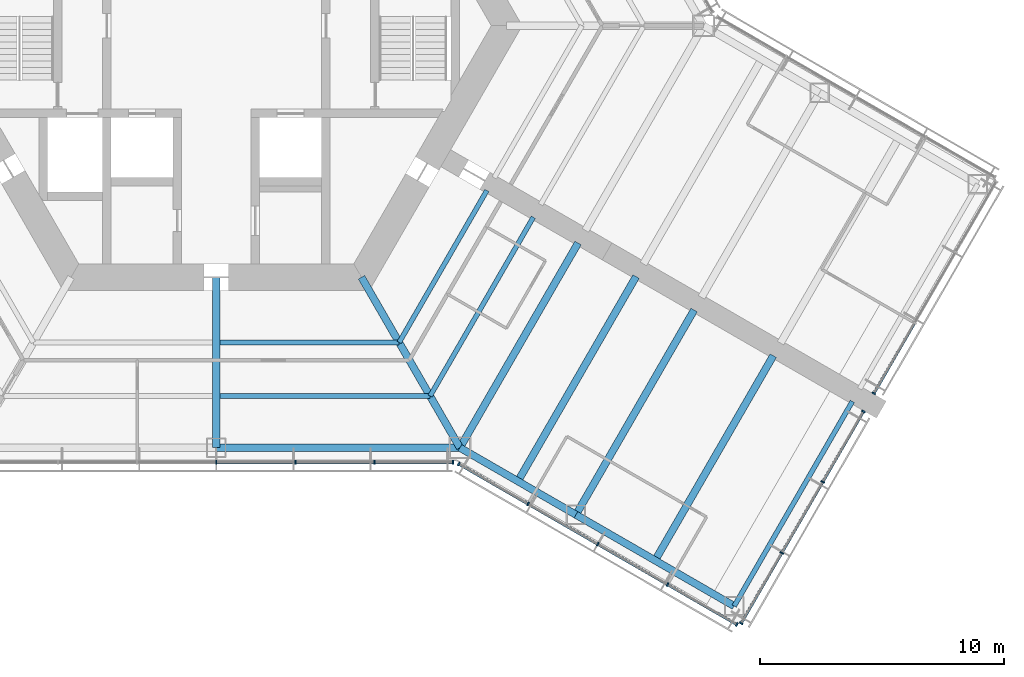
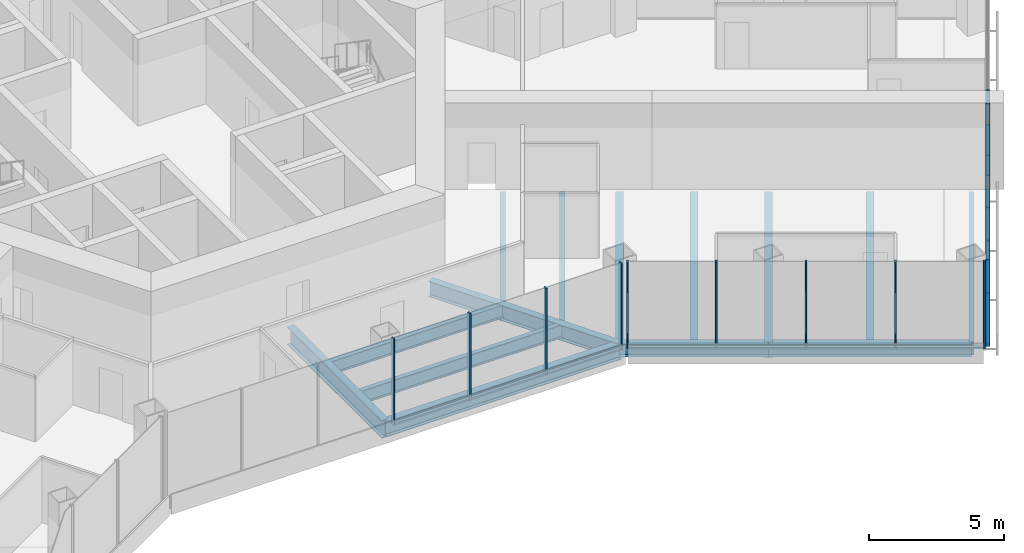
# One storey, part 5 of 19: 25 members, 14 beams, 4 elements without a shape of their own.
"""IFC4 building model written with IfcOpenShell, lengths in metres."""

from ifc_helpers import new_model, si_unit, direction, frame, origin, origin_2d, place, context, subcontext, project, spatial, rectangle, i_section, extrude, material, material_profile, profile_set, type_object, element, aggregate, save


model = new_model("IFC4")

# Units and contexts
model_context = context("Model", 3, precision=1e-05, world=origin(), true_north=direction((0.0, 1.0)))
body_context = subcontext(model_context, "Body", "Model", "MODEL_VIEW")
ifc_project = project(units=[si_unit("LENGTHUNIT", "METRE"), si_unit("AREAUNIT", "SQUARE_METRE"), si_unit("VOLUMEUNIT", "CUBIC_METRE"), si_unit("PLANEANGLEUNIT", "RADIAN"), si_unit("MASSUNIT", "GRAM", prefix="KILO")], contexts=[model_context])

# Site, building, storey
site_placement = place(None, origin())
site = spatial("IfcSite", under=ifc_project, at=site_placement, CompositionType="ELEMENT")
building_placement = place(site_placement, origin())
building = spatial("IfcBuilding", under=site, at=building_placement, Name="Kasaneha Research Tower", CompositionType="ELEMENT")
storey_placement = place(building_placement, frame((0.0, 0.0, 104.10009765625)))
storey = spatial("IfcBuildingStorey", under=building, at=storey_placement, Name="L26", CompositionType="ELEMENT", Elevation=104.10009765625)

# Beams
ifc_material_1 = material(Name="Steel SN490B", Category="steel")
ifc_material_profile_1 = material_profile(ifc_material_1, i_section(OverallWidth=0.199951171875, OverallDepth=0.60009765625, WebThickness=0.010986328125, FlangeThickness=0.01708984375, FilletRadius=0.012939453125, at=origin_2d()), Name="H-600x200x11x17")
ifc_profile_set_1 = profile_set([ifc_material_profile_1], Name="Steel SN490B")
beam_type_1 = type_object("IfcBeamType", Name="B1-3 secondary beam H-600x200x11x17", PredefinedType="JOIST", material=ifc_profile_set_1)
beam_1_placement = place(storey_placement, frame((7.505615234375, -13.0, -0.4501953125), z_axis=(-1.0, 0.0, 0.0), x_axis=(0.0, -1.0, 0.0)))
element("IfcBeam", 1, at=beam_1_placement, inside=storey, type_object=beam_type_1, Name="Secondary beam RS270R1 L26", PredefinedType="JOIST", context=body_context, shape_type="SweptSolid", body=[
    extrude(i_section(OverallWidth=0.199951171875, OverallDepth=0.60009765625, WebThickness=0.010986328125, FlangeThickness=0.01708984375, FilletRadius=0.012939453125, at=origin_2d()), origin(), (0.0, 0.0, 1.0), 7.355712890625),
])
beam_2_placement = place(storey_placement, frame((8.775634765625, -15.199951171875, -0.4501953125), z_axis=(-1.0, 0.0, 0.0), x_axis=(0.0, -1.0, 0.0)))
element("IfcBeam", 2, at=beam_2_placement, inside=storey, type_object=beam_type_1, Name="Secondary beam RS270R2 L26", PredefinedType="JOIST", context=body_context, shape_type="SweptSolid", body=[
    extrude(i_section(OverallWidth=0.199951171875, OverallDepth=0.60009765625, WebThickness=0.010986328125, FlangeThickness=0.01708984375, FilletRadius=0.012939453125, at=origin_2d()), origin(), (0.0, 0.0, 1.0), 8.625732421875),
])
beam_3_placement = place(storey_placement, frame((7.505615234375, -13.0, -0.4501953125), z_axis=(0.499998147991, 0.86602647304, 0.0), x_axis=(-0.86602647304, 0.499998147991, 0.0)))
element("IfcBeam", 3, at=beam_3_placement, inside=storey, type_object=beam_type_1, Name="Secondary beam RS330L1 L26", PredefinedType="JOIST", context=body_context, shape_type="SweptSolid", body=[
    extrude(i_section(OverallWidth=0.199951171875, OverallDepth=0.60009765625, WebThickness=0.010986328125, FlangeThickness=0.01708984375, FilletRadius=0.012939453125, at=origin_2d()), origin(), (0.0, 0.0, 1.0), 7.20556640625),
])
beam_4_placement = place(storey_placement, frame((8.775634765625, -15.199951171875, -0.4501953125), z_axis=(0.500020829043, 0.866013377797, 0.0), x_axis=(-0.866013377797, 0.500020829043, 0.0)))
element("IfcBeam", 4, at=beam_4_placement, inside=storey, type_object=beam_type_1, Name="Secondary beam RS330L2 L26", PredefinedType="JOIST", context=body_context, shape_type="SweptSolid", body=[
    extrude(i_section(OverallWidth=0.199951171875, OverallDepth=0.60009765625, WebThickness=0.010986328125, FlangeThickness=0.01708984375, FilletRadius=0.012939453125, at=origin_2d()), origin(), (0.0, 0.0, 1.0), 8.475830078125),
])
ifc_material_2 = material(Name="Steel SN490B", Category="steel")
ifc_material_profile_2 = material_profile(ifc_material_2, i_section(OverallWidth=0.300048828125, OverallDepth=0.58203125, WebThickness=0.011962890625, FlangeThickness=0.01708984375, FilletRadius=0.012939453125, at=origin_2d()), Name="H-582x300x12x17")
ifc_profile_set_2 = profile_set([ifc_material_profile_2], Name="Steel SN490B")
beam_type_2 = type_object("IfcBeamType", Name="B2-3 secondary beam H-582x300x12x17", PredefinedType="JOIST", material=ifc_profile_set_2)
for number, where, z_axis, x_axis, name in (
    (5, (12.381591796875, -18.695556640625, -0.441162109375), (0.500010041276, 0.866019606374, 0.0), (-0.866019606374, 0.500010041276, 0.0), "Secondary beam WBCP1 L26"),
    (6, (18.0107421875, -21.945556640625, -0.441162109375), (0.500010041276, 0.866019606374, 0.0), (-0.866019606374, 0.500010041276, 0.0), "Secondary beam WBCP2 L26"),
):
    element("IfcBeam", number, at=place(storey_placement, frame(where, z_axis=z_axis, x_axis=x_axis)), inside=storey, type_object=beam_type_2, Name=name, PredefinedType="JOIST", context=body_context, shape_type="SweptSolid", body=[
        extrude(i_section(OverallWidth=0.300048828125, OverallDepth=0.58203125, WebThickness=0.011962890625, FlangeThickness=0.01708984375, FilletRadius=0.012939453125, at=origin_2d()), origin(), (0.0, 0.0, 1.0), 9.699951171875),
    ])

# Curtain wall, members
ifc_material_3 = material(Name="Glass and aluminium", Category="aluminium")
curtain_wall_type = type_object("IfcCurtainWallType", Name="Low-rise office curtain wall", PredefinedType="USERDEFINED", material=ifc_material_3)
curtain_wall_1_placement = place(storey_placement, origin())
curtain_wall_1 = element("IfcCurtainWall", 7, at=curtain_wall_1_placement, inside=storey, type_object=curtain_wall_type, Name="CW-O1 L26 run 02a", ObjectType="UNITISED CURTAIN WALL", PredefinedType="USERDEFINED")
ifc_material_4 = material(Name="Aluminium 6063-T6", Category="aluminium")
ifc_material_profile_3 = material_profile(ifc_material_4, rectangle(XDim=0.06005859375, YDim=0.159912109375, at=origin_2d()), Name="CW-O1 mullion 60x160")
ifc_profile_set_3 = profile_set([ifc_material_profile_3], Name="Aluminium 6063-T6")
member_type_1 = type_object("IfcMemberType", Name="CW-O1 mullion", PredefinedType="MULLION", material=ifc_profile_set_3)
member_1_placement = place(storey_placement, frame((0.0, -17.92041015625, 0.0), z_axis=(0.0, 0.0, 1.0), x_axis=(1.0, 0.0, 0.0)))
member_1 = element("IfcMember", 8, at=member_1_placement, type_object=member_type_1, Name="CW-O1 mullion 4", PredefinedType="MULLION", context=body_context, shape_type="SweptSolid", body=[
    extrude(rectangle(XDim=0.06005859375, YDim=0.159912109375, at=origin_2d()), origin(), (0.0, 0.0, 1.0), 3.89990234375),
])
member_2_placement = place(storey_placement, frame((3.246337890625, -17.92041015625, 0.0), z_axis=(0.0, 0.0, 1.0), x_axis=(1.0, 0.0, 0.0)))
member_2 = element("IfcMember", 9, at=member_2_placement, type_object=member_type_1, Name="CW-O1 mullion 5", PredefinedType="MULLION", context=body_context, shape_type="SweptSolid", body=[
    extrude(rectangle(XDim=0.06005859375, YDim=0.159912109375, at=origin_2d()), origin(), (0.0, 0.0, 1.0), 3.89990234375),
])
member_3_placement = place(storey_placement, frame((6.492919921875, -17.92041015625, 0.0), z_axis=(0.0, 0.0, 1.0), x_axis=(1.0, 0.0, 0.0)))
member_3 = element("IfcMember", 10, at=member_3_placement, type_object=member_type_1, Name="CW-O1 mullion 6", PredefinedType="MULLION", context=body_context, shape_type="SweptSolid", body=[
    extrude(rectangle(XDim=0.06005859375, YDim=0.159912109375, at=origin_2d()), origin(), (0.0, 0.0, 1.0), 3.89990234375),
])
member_4_placement = place(storey_placement, frame((9.709228515625, -17.92041015625, 0.0), z_axis=(0.0, 0.0, 1.0), x_axis=(1.0, 0.0, 0.0)))
member_4 = element("IfcMember", 11, at=member_4_placement, type_object=member_type_1, Name="CW-O1 mullion 7", PredefinedType="MULLION", context=body_context, shape_type="SweptSolid", body=[
    extrude(rectangle(XDim=0.06005859375, YDim=0.159912109375, at=origin_2d()), origin(), (0.0, 0.0, 1.0), 3.89990234375),
])

curtain_wall_2_placement = place(storey_placement, origin())
curtain_wall_2 = element("IfcCurtainWall", 12, at=curtain_wall_2_placement, inside=storey, type_object=curtain_wall_type, Name="CW-O1 L26 run 03a", ObjectType="UNITISED CURTAIN WALL", PredefinedType="USERDEFINED")
member_5_placement = place(storey_placement, frame((9.951904296875, -17.985595703125, 0.0), z_axis=(0.0, 0.0, 1.0), x_axis=(0.866025411464, -0.499999986699, 0.0)))
member_5 = element("IfcMember", 13, at=member_5_placement, type_object=member_type_1, Name="CW-O1 mullion 1", PredefinedType="MULLION", context=body_context, shape_type="SweptSolid", body=[
    extrude(rectangle(XDim=0.06005859375, YDim=0.159912109375, at=origin_2d()), origin(), (0.0, 0.0, 1.0), 3.89990234375),
])
member_6_placement = place(storey_placement, frame((12.792236328125, -19.62548828125, 0.0), z_axis=(0.0, 0.0, 1.0), x_axis=(0.866025411464, -0.499999986699, 0.0)))
member_6 = element("IfcMember", 14, at=member_6_placement, type_object=member_type_1, Name="CW-O1 mullion 2", PredefinedType="MULLION", context=body_context, shape_type="SweptSolid", body=[
    extrude(rectangle(XDim=0.06005859375, YDim=0.159912109375, at=origin_2d()), origin(), (0.0, 0.0, 1.0), 3.89990234375),
])
member_7_placement = place(storey_placement, frame((15.65869140625, -21.2802734375, 0.0), z_axis=(0.0, 0.0, 1.0), x_axis=(0.866025411464, -0.499999986699, 0.0)))
member_7 = element("IfcMember", 15, at=member_7_placement, type_object=member_type_1, Name="CW-O1 mullion 3", PredefinedType="MULLION", context=body_context, shape_type="SweptSolid", body=[
    extrude(rectangle(XDim=0.06005859375, YDim=0.159912109375, at=origin_2d()), origin(), (0.0, 0.0, 1.0), 3.89990234375),
])
member_8_placement = place(storey_placement, frame((18.52490234375, -22.935302734375, 0.0), z_axis=(0.0, 0.0, 1.0), x_axis=(0.866025411464, -0.499999986699, 0.0)))
member_8 = element("IfcMember", 16, at=member_8_placement, type_object=member_type_1, Name="CW-O1 mullion 4", PredefinedType="MULLION", context=body_context, shape_type="SweptSolid", body=[
    extrude(rectangle(XDim=0.06005859375, YDim=0.159912109375, at=origin_2d()), origin(), (0.0, 0.0, 1.0), 3.89990234375),
])
member_9_placement = place(storey_placement, frame((21.365478515625, -24.5751953125, 0.0), z_axis=(0.0, 0.0, 1.0), x_axis=(0.866025411464, -0.499999986699, 0.0)))
member_9 = element("IfcMember", 17, at=member_9_placement, type_object=member_type_1, Name="CW-O1 mullion 5", PredefinedType="MULLION", context=body_context, shape_type="SweptSolid", body=[
    extrude(rectangle(XDim=0.06005859375, YDim=0.159912109375, at=origin_2d()), origin(), (0.0, 0.0, 1.0), 3.89990234375),
])

curtain_wall_3_placement = place(storey_placement, origin())
curtain_wall_3 = element("IfcCurtainWall", 18, at=curtain_wall_3_placement, inside=storey, type_object=curtain_wall_type, Name="CW-O1 L26 run 04a", ObjectType="UNITISED CURTAIN WALL", PredefinedType="USERDEFINED")
member_10_placement = place(storey_placement, frame((21.54296875, -24.527587890625, 0.0), z_axis=(0.0, 0.0, 1.0), x_axis=(0.500000011442, 0.866025397178, 0.0)))
member_10 = element("IfcMember", 19, at=member_10_placement, type_object=member_type_1, Name="CW-O1 mullion 1", PredefinedType="MULLION", context=body_context, shape_type="SweptSolid", body=[
    extrude(rectangle(XDim=0.06005859375, YDim=0.159912109375, at=origin_2d()), origin(), (0.0, 0.0, 1.0), 3.89990234375),
])
member_11_placement = place(storey_placement, frame((23.211181640625, -21.637939453125, 0.0), z_axis=(0.0, 0.0, 1.0), x_axis=(0.500000011442, 0.866025397178, 0.0)))
member_11 = element("IfcMember", 20, at=member_11_placement, type_object=member_type_1, Name="CW-O1 mullion 2", PredefinedType="MULLION", context=body_context, shape_type="SweptSolid", body=[
    extrude(rectangle(XDim=0.06005859375, YDim=0.159912109375, at=origin_2d()), origin(), (0.0, 0.0, 1.0), 3.89990234375),
])
member_12_placement = place(storey_placement, frame((24.89453125, -18.72216796875, 0.0), z_axis=(0.0, 0.0, 1.0), x_axis=(0.500000011442, 0.866025397178, 0.0)))
member_12 = element("IfcMember", 21, at=member_12_placement, type_object=member_type_1, Name="CW-O1 mullion 3", PredefinedType="MULLION", context=body_context, shape_type="SweptSolid", body=[
    extrude(rectangle(XDim=0.06005859375, YDim=0.159912109375, at=origin_2d()), origin(), (0.0, 0.0, 1.0), 3.89990234375),
])
member_13_placement = place(storey_placement, frame((26.56298828125, -15.832763671875, 0.0), z_axis=(0.0, 0.0, 1.0), x_axis=(0.500000011442, 0.866025397178, 0.0)))
member_13 = element("IfcMember", 22, at=member_13_placement, type_object=member_type_1, Name="CW-O1 mullion 4", PredefinedType="MULLION", context=body_context, shape_type="SweptSolid", body=[
    extrude(rectangle(XDim=0.06005859375, YDim=0.159912109375, at=origin_2d()), origin(), (0.0, 0.0, 1.0), 3.89990234375),
])

# Curtain wall, member
curtain_wall_4_placement = place(storey_placement, origin())
curtain_wall_4 = element("IfcCurtainWall", 23, at=curtain_wall_4_placement, inside=storey, type_object=curtain_wall_type, Name="CW-O1 L26 run 05a", ObjectType="UNITISED CURTAIN WALL", PredefinedType="USERDEFINED")
member_14_placement = place(storey_placement, frame((26.992919921875, -15.087890625, 0.0), z_axis=(0.0, 0.0, 1.0), x_axis=(0.500000011442, 0.866025397178, 0.0)))
member_14 = element("IfcMember", 24, at=member_14_placement, type_object=member_type_1, Name="CW-O1 mullion 1", PredefinedType="MULLION", context=body_context, shape_type="SweptSolid", body=[
    extrude(rectangle(XDim=0.06005859375, YDim=0.159912109375, at=origin_2d()), origin(), (0.0, 0.0, 1.0), 3.89990234375),
])

# Member
ifc_material_5 = material(Name="Aluminium 6063-T6", Category="aluminium")
ifc_material_profile_4 = material_profile(ifc_material_5, rectangle(XDim=0.1201171875, YDim=0.06005859375, at=origin_2d()), Name="CW-O1 transom 120x60")
ifc_profile_set_4 = profile_set([ifc_material_profile_4], Name="Aluminium 6063-T6")
member_type_2 = type_object("IfcMemberType", Name="CW-O1 transom", PredefinedType="USERDEFINED", material=ifc_profile_set_4)
member_15_placement = place(storey_placement, frame((0.030029296875, -17.92041015625, 0.02978515625), z_axis=(1.0, 0.0, 0.0), x_axis=(0.0, 1.0, 0.0)))
member_15 = element("IfcMember", 25, at=member_15_placement, type_object=member_type_2, Name="CW-O1 transom 4", ObjectType="TRANSOM", PredefinedType="USERDEFINED", context=body_context, shape_type="SweptSolid", body=[
    extrude(rectangle(XDim=0.1201171875, YDim=0.06005859375, at=origin_2d()), origin(), (0.0, 0.0, 1.0), 3.186279296875),
])

member_16_placement = place(storey_placement, frame((3.2763671875, -17.92041015625, 0.02978515625), z_axis=(1.0, 0.0, 0.0), x_axis=(0.0, 1.0, 0.0)))
member_16 = element("IfcMember", 26, at=member_16_placement, type_object=member_type_2, Name="CW-O1 transom 5", ObjectType="TRANSOM", PredefinedType="USERDEFINED", context=body_context, shape_type="SweptSolid", body=[
    extrude(rectangle(XDim=0.1201171875, YDim=0.06005859375, at=origin_2d()), origin(), (0.0, 0.0, 1.0), 3.1865234375),
])

member_17_placement = place(storey_placement, frame((6.522705078125, -17.92041015625, 0.02978515625), z_axis=(1.0, 0.0, 0.0), x_axis=(0.0, 1.0, 0.0)))
member_17 = element("IfcMember", 27, at=member_17_placement, type_object=member_type_2, Name="CW-O1 transom 6", ObjectType="TRANSOM", PredefinedType="USERDEFINED", context=body_context, shape_type="SweptSolid", body=[
    extrude(rectangle(XDim=0.1201171875, YDim=0.06005859375, at=origin_2d()), origin(), (0.0, 0.0, 1.0), 3.156494140625),
])

aggregate(curtain_wall_1, [member_1, member_2, member_3, member_4, member_15, member_16, member_17])

member_18_placement = place(storey_placement, frame((9.977783203125, -18.00048828125, 0.02978515625), z_axis=(0.866022692473, -0.500004696101, 0.0), x_axis=(0.500004696101, 0.866022692473, 0.0)))
member_18 = element("IfcMember", 28, at=member_18_placement, type_object=member_type_2, Name="CW-O1 transom 1", ObjectType="TRANSOM", PredefinedType="USERDEFINED", context=body_context, shape_type="SweptSolid", body=[
    extrude(rectangle(XDim=0.1201171875, YDim=0.06005859375, at=origin_2d()), origin(), (0.0, 0.0, 1.0), 3.2197265625),
])

member_19_placement = place(storey_placement, frame((12.818115234375, -19.640380859375, 0.02978515625), z_axis=(0.866015446554, -0.500017246033, 0.0), x_axis=(0.500017246033, 0.866015446554, 0.0)))
member_19 = element("IfcMember", 29, at=member_19_placement, type_object=member_type_2, Name="CW-O1 transom 2", ObjectType="TRANSOM", PredefinedType="USERDEFINED", context=body_context, shape_type="SweptSolid", body=[
    extrude(rectangle(XDim=0.1201171875, YDim=0.06005859375, at=origin_2d()), origin(), (0.0, 0.0, 1.0), 3.25),
])

member_20_placement = place(storey_placement, frame((15.6845703125, -21.29541015625, 0.02978515625), z_axis=(0.86604797581, -0.499960902066, 0.0), x_axis=(0.499960902066, 0.86604797581, 0.0)))
member_20 = element("IfcMember", 30, at=member_20_placement, type_object=member_type_2, Name="CW-O1 transom 3", ObjectType="TRANSOM", PredefinedType="USERDEFINED", context=body_context, shape_type="SweptSolid", body=[
    extrude(rectangle(XDim=0.1201171875, YDim=0.06005859375, at=origin_2d()), origin(), (0.0, 0.0, 1.0), 3.249755859375),
])

member_21_placement = place(storey_placement, frame((18.551025390625, -22.9501953125, 0.02978515625), z_axis=(0.866022692473, -0.500004696101, 0.0), x_axis=(0.500004696101, 0.866022692473, 0.0)))
member_21 = element("IfcMember", 31, at=member_21_placement, type_object=member_type_2, Name="CW-O1 transom 4", ObjectType="TRANSOM", PredefinedType="USERDEFINED", context=body_context, shape_type="SweptSolid", body=[
    extrude(rectangle(XDim=0.1201171875, YDim=0.06005859375, at=origin_2d()), origin(), (0.0, 0.0, 1.0), 3.2197265625),
])

aggregate(curtain_wall_2, [member_5, member_6, member_7, member_8, member_9, member_18, member_19, member_20, member_21])

member_22_placement = place(storey_placement, frame((21.557861328125, -24.50146484375, 0.02978515625), z_axis=(0.500025583411, 0.866010632691, 0.0), x_axis=(-0.866010632691, 0.500025583411, 0.0)))
member_22 = element("IfcMember", 32, at=member_22_placement, type_object=member_type_2, Name="CW-O1 transom 1", ObjectType="TRANSOM", PredefinedType="USERDEFINED", context=body_context, shape_type="SweptSolid", body=[
    extrude(rectangle(XDim=0.1201171875, YDim=0.06005859375, at=origin_2d()), origin(), (0.0, 0.0, 1.0), 3.276611328125),
])

member_23_placement = place(storey_placement, frame((23.226318359375, -21.61181640625, 0.02978515625), z_axis=(0.500014325468, 0.866017132814, 0.0), x_axis=(-0.866017132814, 0.500014325468, 0.0)))
member_23 = element("IfcMember", 33, at=member_23_placement, type_object=member_type_2, Name="CW-O1 transom 2", ObjectType="TRANSOM", PredefinedType="USERDEFINED", context=body_context, shape_type="SweptSolid", body=[
    extrude(rectangle(XDim=0.1201171875, YDim=0.06005859375, at=origin_2d()), origin(), (0.0, 0.0, 1.0), 3.306640625),
])

member_24_placement = place(storey_placement, frame((24.90966796875, -18.6962890625, 0.02978515625), z_axis=(0.499969700927, 0.866042896256, 0.0), x_axis=(-0.866042896256, 0.499969700927, 0.0)))
member_24 = element("IfcMember", 34, at=member_24_placement, type_object=member_type_2, Name="CW-O1 transom 3", ObjectType="TRANSOM", PredefinedType="USERDEFINED", context=body_context, shape_type="SweptSolid", body=[
    extrude(rectangle(XDim=0.1201171875, YDim=0.06005859375, at=origin_2d()), origin(), (0.0, 0.0, 1.0), 3.276611328125),
])

aggregate(curtain_wall_3, [member_10, member_11, member_12, member_13, member_22, member_23, member_24])

member_25_placement = place(storey_placement, frame((27.008056640625, -15.061767578125, 0.02978515625), z_axis=(0.499969700927, 0.866042896256, 0.0), x_axis=(-0.866042896256, 0.499969700927, 0.0)))
member_25 = element("IfcMember", 35, at=member_25_placement, type_object=member_type_2, Name="CW-O1 transom 1", ObjectType="TRANSOM", PredefinedType="USERDEFINED", context=body_context, shape_type="SweptSolid", body=[
    extrude(rectangle(XDim=0.1201171875, YDim=0.06005859375, at=origin_2d()), origin(), (0.0, 0.0, 1.0), 3.276611328125),
])

aggregate(curtain_wall_4, [member_14, member_25])

# Beams
ifc_material_6 = material(Name="Steel SN490B", Category="steel")
ifc_material_profile_5 = material_profile(ifc_material_6, i_section(OverallWidth=0.300048828125, OverallDepth=0.699951171875, WebThickness=0.012939453125, FlangeThickness=0.02392578125, FilletRadius=0.01806640625, at=origin_2d()), Name="H-700x300x13x24")
ifc_profile_set_5 = profile_set([ifc_material_profile_5], Name="Steel SN490B")
beam_type_3 = type_object("IfcBeamType", Name="G1-3 radial girder H-700x300x13x24", PredefinedType="BEAM", material=ifc_profile_set_5)
beam_5_placement = place(storey_placement, frame((5.961181640625, -10.324951171875, -0.5), z_axis=(0.49999105496, -0.866030568144, 0.0), x_axis=(0.866030568144, 0.49999105496, 0.0)))
element("IfcBeam", 36, at=beam_5_placement, inside=storey, type_object=beam_type_3, Name="Radial girder RV300 L26", PredefinedType="BEAM", context=body_context, shape_type="SweptSolid", body=[
    extrude(i_section(OverallWidth=0.300048828125, OverallDepth=0.699951171875, WebThickness=0.012939453125, FlangeThickness=0.02392578125, FilletRadius=0.01806640625, at=origin_2d()), origin(), (0.0, 0.0, 1.0), 8.077880859375),
])
ifc_material_7 = material(Name="Steel SN490B", Category="steel")
ifc_material_profile_6 = material_profile(ifc_material_7, i_section(OverallWidth=0.300048828125, OverallDepth=0.800048828125, WebThickness=0.013916015625, FlangeThickness=0.02587890625, FilletRadius=0.01806640625, at=origin_2d()), Name="H-800x300x14x26")
ifc_profile_set_6 = profile_set([ifc_material_profile_6], Name="Steel SN490B")
beam_type_4 = type_object("IfcBeamType", Name="G2-3 radial girder H-800x300x14x26", PredefinedType="BEAM", material=ifc_profile_set_6)
beam_6_placement = place(storey_placement, frame((0.0, -10.324951171875, -0.550048828125), z_axis=(0.0, -1.0, 0.0), x_axis=(1.0, 0.0, 0.0)))
element("IfcBeam", 37, at=beam_6_placement, inside=storey, type_object=beam_type_4, Name="Radial girder RM270 L26", PredefinedType="BEAM", context=body_context, shape_type="SweptSolid", body=[
    extrude(i_section(OverallWidth=0.300048828125, OverallDepth=0.800048828125, WebThickness=0.013916015625, FlangeThickness=0.02587890625, FilletRadius=0.01806640625, at=origin_2d()), origin(), (0.0, 0.0, 1.0), 6.99560546875),
])
ifc_material_8 = material(Name="Steel SN490B", Category="steel")
ifc_material_profile_7 = material_profile(ifc_material_8, i_section(OverallWidth=0.300048828125, OverallDepth=0.69189453125, WebThickness=0.012939453125, FlangeThickness=0.02001953125, FilletRadius=0.01806640625, at=origin_2d()), Name="H-692x300x13x20")
ifc_profile_set_7 = profile_set([ifc_material_profile_7], Name="Steel SN490B")
beam_type_5 = type_object("IfcBeamType", Name="G3-3 plate edge girder H-692x300x13x20", PredefinedType="BEAM", material=ifc_profile_set_7)
beam_7_placement = place(storey_placement, frame((10.0, -17.320556640625, -0.49609375), z_axis=(0.500010041276, 0.866019606374, 0.0), x_axis=(-0.866019606374, 0.500010041276, 0.0)))
element("IfcBeam", 38, at=beam_7_placement, inside=storey, type_object=beam_type_5, Name="Plate edge girder PECP L26", PredefinedType="BEAM", context=body_context, shape_type="SweptSolid", body=[
    extrude(i_section(OverallWidth=0.300048828125, OverallDepth=0.69189453125, WebThickness=0.012939453125, FlangeThickness=0.02001953125, FilletRadius=0.01806640625, at=origin_2d()), origin(), (0.0, 0.0, 1.0), 9.699951171875),
])
ifc_material_9 = material(Name="Steel SN490B", Category="steel")
ifc_material_profile_8 = material_profile(ifc_material_9, i_section(OverallWidth=0.300048828125, OverallDepth=0.699951171875, WebThickness=0.012939453125, FlangeThickness=0.02392578125, FilletRadius=0.01806640625, at=origin_2d()), Name="H-700x300x13x24")
ifc_profile_set_8 = profile_set([ifc_material_profile_8], Name="Steel SN490B")
beam_type_6 = type_object("IfcBeamType", Name="G4-3 wing girder H-700x300x13x24", PredefinedType="BEAM", material=ifc_profile_set_8)
beam_8_placement = place(storey_placement, frame((14.76318359375, -20.070556640625, -0.5), z_axis=(0.499991164321, 0.866030505006, 0.0), x_axis=(-0.866030505006, 0.499991164321, 0.0)))
element("IfcBeam", 39, at=beam_8_placement, inside=storey, type_object=beam_type_6, Name="Wing girder WGCP L26", PredefinedType="BEAM", context=body_context, shape_type="SweptSolid", body=[
    extrude(i_section(OverallWidth=0.300048828125, OverallDepth=0.699951171875, WebThickness=0.012939453125, FlangeThickness=0.02392578125, FilletRadius=0.01806640625, at=origin_2d()), origin(), (0.0, 0.0, 1.0), 9.699951171875),
])
ifc_material_10 = material(Name="Steel SN490B", Category="steel")
ifc_material_profile_9 = material_profile(ifc_material_10, i_section(OverallWidth=0.300048828125, OverallDepth=0.69189453125, WebThickness=0.012939453125, FlangeThickness=0.02001953125, FilletRadius=0.01806640625, at=origin_2d()), Name="H-692x300x13x20")
ifc_profile_set_9 = profile_set([ifc_material_profile_9], Name="Steel SN490B")
beam_type_7 = type_object("IfcBeamType", Name="SB1-3 spandrel beam H-692x300x13x20", PredefinedType="SPANDREL", material=ifc_profile_set_9)
beam_9_placement = place(storey_placement, frame((10.0, -17.320556640625, -0.49609375), z_axis=(-1.0, 0.0, 0.0), x_axis=(0.0, -1.0, 0.0)))
element("IfcBeam", 40, at=beam_9_placement, inside=storey, type_object=beam_type_7, Name="Spandrel beam SR270R L26", PredefinedType="SPANDREL", context=body_context, shape_type="SweptSolid", body=[
    extrude(i_section(OverallWidth=0.300048828125, OverallDepth=0.69189453125, WebThickness=0.012939453125, FlangeThickness=0.02001953125, FilletRadius=0.01806640625, at=origin_2d()), origin(), (0.0, 0.0, 1.0), 10.0),
])
ifc_material_11 = material(Name="Steel SN490B", Category="steel")
ifc_material_profile_10 = material_profile(ifc_material_11, i_section(OverallWidth=0.300048828125, OverallDepth=0.58203125, WebThickness=0.011962890625, FlangeThickness=0.01708984375, FilletRadius=0.012939453125, at=origin_2d()), Name="H-582x300x12x17")
ifc_profile_set_10 = profile_set([ifc_material_profile_10], Name="Steel SN490B")
beam_type_8 = type_object("IfcBeamType", Name="SB2-3 spandrel beam H-582x300x12x17", PredefinedType="SPANDREL", material=ifc_profile_set_10)
beam_10_placement = place(storey_placement, frame((10.0, -17.320556640625, -0.441162109375), z_axis=(0.866027397988, -0.499996545922, 0.0), x_axis=(0.499996545922, 0.866027397988, 0.0)))
element("IfcBeam", 41, at=beam_10_placement, inside=storey, type_object=beam_type_8, Name="Spandrel beam WSCP1 L26", PredefinedType="SPANDREL", context=body_context, shape_type="SweptSolid", body=[
    extrude(i_section(OverallWidth=0.300048828125, OverallDepth=0.58203125, WebThickness=0.011962890625, FlangeThickness=0.01708984375, FilletRadius=0.012939453125, at=origin_2d()), origin(), (0.0, 0.0, 1.0), 5.5),
])
beam_11_placement = place(storey_placement, frame((14.76318359375, -20.070556640625, -0.441162109375), z_axis=(0.866022959057, -0.500004234368, 0.0), x_axis=(0.500004234368, 0.866022959057, 0.0)))
element("IfcBeam", 42, at=beam_11_placement, inside=storey, type_object=beam_type_8, Name="Spandrel beam WSCP2 L26", PredefinedType="SPANDREL", context=body_context, shape_type="SweptSolid", body=[
    extrude(i_section(OverallWidth=0.300048828125, OverallDepth=0.58203125, WebThickness=0.011962890625, FlangeThickness=0.01708984375, FilletRadius=0.012939453125, at=origin_2d()), origin(), (0.0, 0.0, 1.0), 7.5),
])
ifc_material_12 = material(Name="Steel SN490B", Category="steel")
ifc_material_profile_11 = material_profile(ifc_material_12, i_section(OverallWidth=0.199951171875, OverallDepth=0.60009765625, WebThickness=0.010986328125, FlangeThickness=0.01708984375, FilletRadius=0.012939453125, at=origin_2d()), Name="H-600x200x11x17")
ifc_profile_set_11 = profile_set([ifc_material_profile_11], Name="Steel SN490B")
beam_type_9 = type_object("IfcBeamType", Name="SB3-3 spandrel beam H-600x200x11x17", PredefinedType="SPANDREL", material=ifc_profile_set_11)
beam_12_placement = place(storey_placement, frame((21.25830078125, -23.820556640625, -0.4501953125), z_axis=(0.500010041276, 0.866019606374, 0.0), x_axis=(-0.866019606374, 0.500010041276, 0.0)))
element("IfcBeam", 43, at=beam_12_placement, inside=storey, type_object=beam_type_9, Name="Spandrel beam WTCP L26", PredefinedType="SPANDREL", context=body_context, shape_type="SweptSolid", body=[
    extrude(i_section(OverallWidth=0.199951171875, OverallDepth=0.60009765625, WebThickness=0.010986328125, FlangeThickness=0.01708984375, FilletRadius=0.012939453125, at=origin_2d()), origin(), (0.0, 0.0, 1.0), 9.699951171875),
])

save(model, "model.ifc")
